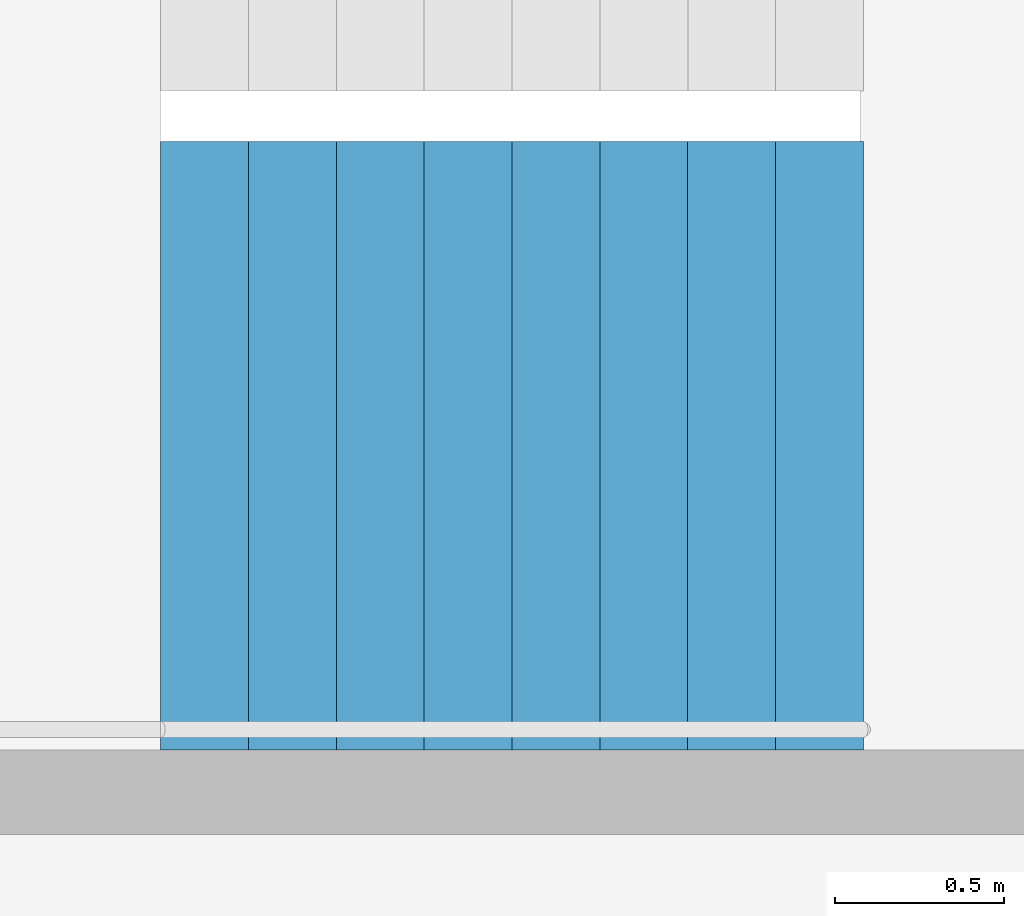
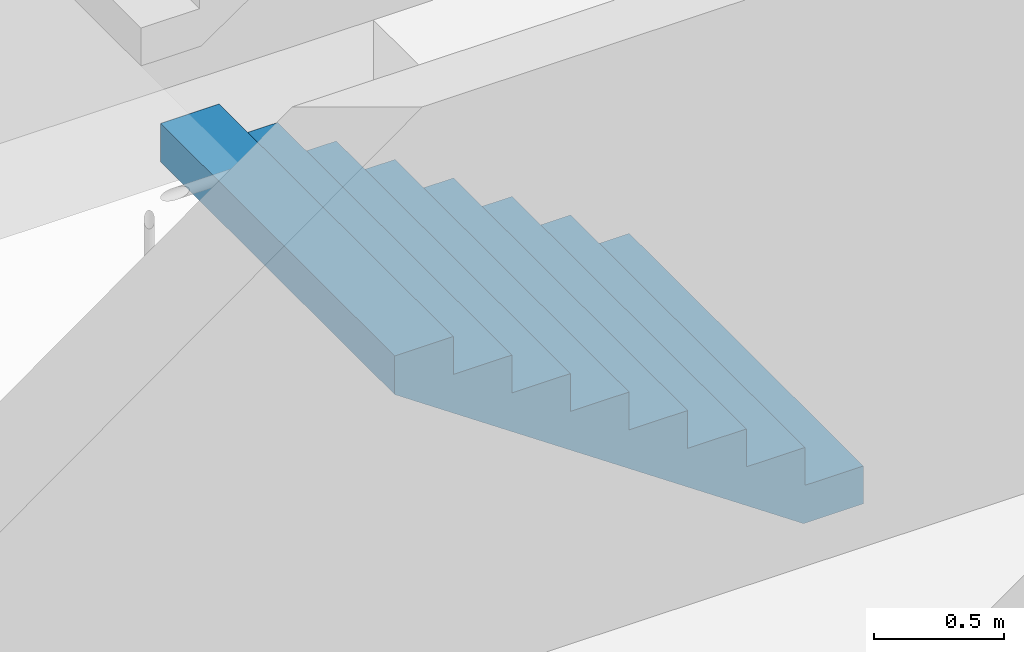
# One storey, part 24 of 26: 1 stair flight, 1 element without a shape of its own.
"""IFC4 building model written with IfcOpenShell, lengths in metres."""

from ifc_helpers import new_model, si_unit, direction, frame, origin, place, context, subcontext, project, spatial, triangles, material, type_object, element, aggregate, save


model = new_model("IFC4")

# Units and contexts
model_context = context("Model", 3, precision=1e-05, world=origin(), true_north=direction((0.0, 1.0)))
body_context = subcontext(model_context, "Body", "Model", "MODEL_VIEW")
ifc_project = project(units=[si_unit("LENGTHUNIT", "METRE"), si_unit("AREAUNIT", "SQUARE_METRE"), si_unit("VOLUMEUNIT", "CUBIC_METRE"), si_unit("PLANEANGLEUNIT", "RADIAN"), si_unit("MASSUNIT", "GRAM", prefix="KILO")], contexts=[model_context])

# Site, building, storey
site_placement = place(None, origin())
site = spatial("IfcSite", under=ifc_project, at=site_placement, CompositionType="ELEMENT")
building_placement = place(site_placement, origin())
building = spatial("IfcBuilding", under=site, at=building_placement, Name="Hakoniwa Tower and Hamabe Station Hall", CompositionType="ELEMENT")
storey_placement = place(building_placement, frame((0.0, 0.0, 134.199951171875)))
storey = spatial("IfcBuildingStorey", under=building, at=storey_placement, Name="L37", CompositionType="ELEMENT", Elevation=134.199951171875)

# Stair, stair flight
ifc_material_1 = material(Name="Concrete C40", Category="concrete")
stair_type = type_object("IfcStairType", Name="ESCAPE STAIR 1800", PredefinedType="HALF_TURN_STAIR", material=ifc_material_1)
stair_placement = place(storey_placement, origin())
stair = element("IfcStair", 1, at=stair_placement, inside=storey, type_object=stair_type, Name="Escape stair ST-3 L37", PredefinedType="HALF_TURN_STAIR")
ifc_material_2 = material(Name="Concrete C40", Category="concrete")
stair_flight_type = type_object("IfcStairFlightType", Name="STAIR FLIGHT 1800", PredefinedType="STRAIGHT", material=ifc_material_2)
stair_flight_placement = place(storey_placement, frame((24.39990234375, 4.64990234375, 0.0), z_axis=(0.0, 0.0, 1.0), x_axis=(-1.0, 0.0, 0.0)))
stair_flight = element("IfcStairFlight", 2, at=stair_flight_placement, type_object=stair_flight_type, Name="ST-3 flight 1", NumberOfRisers=9, NumberOfTreads=8, PredefinedType="STRAIGHT", RiserHeight=0.177777778, TreadLength=0.26, context=body_context, shape_type="Tessellation", body=[
    triangles([(0.0, 0.89990234375, 0.0), (0.260009765625, 0.89990234375, 0.0), (0.265625, 0.89990234375, 0.0), (0.52001953125, 0.89990234375, 0.174072265625), (0.780029296875, 0.89990234375, 0.351806640625), (1.0400390625, 0.89990234375, 0.529541015625), (1.300048828125, 0.89990234375, 0.707275390625), (1.56005859375, 0.89990234375, 0.885009765625), (1.820068359375, 0.89990234375, 1.062744140625), (2.080078125, 0.89990234375, 1.24072265625), (2.080078125, 0.89990234375, 1.422119140625), (1.820068359375, 0.89990234375, 1.422119140625), (1.820068359375, 0.89990234375, 1.244384765625), (1.56005859375, 0.89990234375, 1.244384765625), (1.56005859375, 0.89990234375, 1.066650390625), (1.300048828125, 0.89990234375, 1.066650390625), (1.300048828125, 0.89990234375, 0.888916015625), (1.0400390625, 0.89990234375, 0.888916015625), (1.0400390625, 0.89990234375, 0.711181640625), (0.780029296875, 0.89990234375, 0.711181640625), (0.780029296875, 0.89990234375, 0.533447265625), (0.52001953125, 0.89990234375, 0.533447265625), (0.52001953125, 0.89990234375, 0.35546875), (0.265625, 0.89990234375, 0.35546875), (0.260009765625, 0.89990234375, 0.35546875), (0.260009765625, 0.89990234375, 0.177734375), (0.0, 0.89990234375, 0.177734375), (0.0, 0.06005859375, 0.0), (0.260009765625, 0.06005859375, 0.0), (0.265625, 0.06005859375, 0.0), (0.52001953125, 0.06005859375, 0.174072265625), (0.780029296875, 0.06005859375, 0.351806640625), (1.0400390625, 0.06005859375, 0.529541015625), (1.300048828125, 0.06005859375, 0.707275390625), (1.56005859375, 0.06005859375, 0.885009765625), (1.820068359375, 0.06005859375, 1.062744140625), (2.080078125, 0.06005859375, 1.24072265625), (2.080078125, 0.06005859375, 1.422119140625), (1.820068359375, 0.06005859375, 1.422119140625), (1.820068359375, 0.06005859375, 1.244384765625), (1.56005859375, 0.06005859375, 1.244384765625), (1.56005859375, 0.06005859375, 1.066650390625), (1.300048828125, 0.06005859375, 1.066650390625), (1.300048828125, 0.06005859375, 0.888916015625), (1.0400390625, 0.06005859375, 0.888916015625), (1.0400390625, 0.06005859375, 0.711181640625), (0.780029296875, 0.06005859375, 0.711181640625), (0.780029296875, 0.06005859375, 0.533447265625), (0.52001953125, 0.06005859375, 0.533447265625), (0.52001953125, 0.06005859375, 0.35546875), (0.265625, 0.06005859375, 0.35546875), (0.260009765625, 0.06005859375, 0.35546875), (0.260009765625, 0.06005859375, 0.177734375), (0.0, 0.06005859375, 0.177734375), (0.0, 0.04296875, 0.0), (0.260009765625, 0.04296875, 0.0), (0.265625, 0.04296875, 0.0), (0.52001953125, 0.04296875, 0.174072265625), (0.780029296875, 0.04296875, 0.351806640625), (1.0400390625, 0.04296875, 0.529541015625), (1.300048828125, 0.04296875, 0.707275390625), (1.56005859375, 0.04296875, 0.885009765625), (1.820068359375, 0.04296875, 1.062744140625), (2.080078125, 0.04296875, 1.24072265625), (2.080078125, 0.04296875, 1.422119140625), (1.820068359375, 0.04296875, 1.422119140625), (1.820068359375, 0.04296875, 1.244384765625), (1.56005859375, 0.04296875, 1.244384765625), (1.56005859375, 0.04296875, 1.066650390625), (1.300048828125, 0.04296875, 1.066650390625), (1.300048828125, 0.04296875, 0.888916015625), (1.0400390625, 0.04296875, 0.888916015625), (1.0400390625, 0.04296875, 0.711181640625), (0.780029296875, 0.04296875, 0.711181640625), (0.780029296875, 0.04296875, 0.533447265625), (0.52001953125, 0.04296875, 0.533447265625), (0.52001953125, 0.04296875, 0.35546875), (0.265625, 0.04296875, 0.35546875), (0.260009765625, 0.04296875, 0.35546875), (0.260009765625, 0.04296875, 0.177734375), (0.0, 0.04296875, 0.177734375), (0.0, 0.025634765625, 0.0), (0.260009765625, 0.025634765625, 0.0), (0.265625, 0.025634765625, 0.0), (0.52001953125, 0.025634765625, 0.174072265625), (0.780029296875, 0.025634765625, 0.351806640625), (1.0400390625, 0.025634765625, 0.529541015625), (1.300048828125, 0.025634765625, 0.707275390625), (1.56005859375, 0.025634765625, 0.885009765625), (1.820068359375, 0.025634765625, 1.062744140625), (2.080078125, 0.025634765625, 1.24072265625), (2.080078125, 0.025634765625, 1.422119140625), (1.820068359375, 0.025634765625, 1.422119140625), (1.820068359375, 0.025634765625, 1.244384765625), (1.56005859375, 0.025634765625, 1.244384765625), (1.56005859375, 0.025634765625, 1.066650390625), (1.300048828125, 0.025634765625, 1.066650390625), (1.300048828125, 0.025634765625, 0.888916015625), (1.0400390625, 0.025634765625, 0.888916015625), (1.0400390625, 0.025634765625, 0.711181640625), (0.780029296875, 0.025634765625, 0.711181640625), (0.780029296875, 0.025634765625, 0.533447265625), (0.52001953125, 0.025634765625, 0.533447265625), (0.52001953125, 0.025634765625, 0.35546875), (0.265625, 0.025634765625, 0.35546875), (0.260009765625, 0.025634765625, 0.35546875), (0.260009765625, 0.025634765625, 0.177734375), (0.0, 0.025634765625, 0.177734375), (0.0, 0.008544921875, 0.0), (0.260009765625, 0.008544921875, 0.0), (0.265625, 0.008544921875, 0.0), (0.52001953125, 0.008544921875, 0.174072265625), (0.780029296875, 0.008544921875, 0.351806640625), (1.0400390625, 0.008544921875, 0.529541015625), (1.300048828125, 0.008544921875, 0.707275390625), (1.56005859375, 0.008544921875, 0.885009765625), (1.820068359375, 0.008544921875, 1.062744140625), (2.080078125, 0.008544921875, 1.24072265625), (2.080078125, 0.008544921875, 1.422119140625), (1.820068359375, 0.008544921875, 1.422119140625), (1.820068359375, 0.008544921875, 1.244384765625), (1.56005859375, 0.008544921875, 1.244384765625), (1.56005859375, 0.008544921875, 1.066650390625), (1.300048828125, 0.008544921875, 1.066650390625), (1.300048828125, 0.008544921875, 0.888916015625), (1.0400390625, 0.008544921875, 0.888916015625), (1.0400390625, 0.008544921875, 0.711181640625), (0.780029296875, 0.008544921875, 0.711181640625), (0.780029296875, 0.008544921875, 0.533447265625), (0.52001953125, 0.008544921875, 0.533447265625), (0.52001953125, 0.008544921875, 0.35546875), (0.265625, 0.008544921875, 0.35546875), (0.260009765625, 0.008544921875, 0.35546875), (0.260009765625, 0.008544921875, 0.177734375), (0.0, 0.008544921875, 0.177734375), (0.0, -0.008544921875, 0.0), (0.260009765625, -0.008544921875, 0.0), (0.265625, -0.008544921875, 0.0), (0.52001953125, -0.008544921875, 0.174072265625), (0.780029296875, -0.008544921875, 0.351806640625), (1.0400390625, -0.008544921875, 0.529541015625), (1.300048828125, -0.008544921875, 0.707275390625), (1.56005859375, -0.008544921875, 0.885009765625), (1.820068359375, -0.008544921875, 1.062744140625), (2.080078125, -0.008544921875, 1.24072265625), (2.080078125, -0.008544921875, 1.422119140625), (1.820068359375, -0.008544921875, 1.422119140625), (1.820068359375, -0.008544921875, 1.244384765625), (1.56005859375, -0.008544921875, 1.244384765625), (1.56005859375, -0.008544921875, 1.066650390625), (1.300048828125, -0.008544921875, 1.066650390625), (1.300048828125, -0.008544921875, 0.888916015625), (1.0400390625, -0.008544921875, 0.888916015625), (1.0400390625, -0.008544921875, 0.711181640625), (0.780029296875, -0.008544921875, 0.711181640625), (0.780029296875, -0.008544921875, 0.533447265625), (0.52001953125, -0.008544921875, 0.533447265625), (0.52001953125, -0.008544921875, 0.35546875), (0.265625, -0.008544921875, 0.35546875), (0.260009765625, -0.008544921875, 0.35546875), (0.260009765625, -0.008544921875, 0.177734375), (0.0, -0.008544921875, 0.177734375), (0.0, -0.025634765625, 0.0), (0.260009765625, -0.025634765625, 0.0), (0.265625, -0.025634765625, 0.0), (0.52001953125, -0.025634765625, 0.174072265625), (0.780029296875, -0.025634765625, 0.351806640625), (1.0400390625, -0.025634765625, 0.529541015625), (1.300048828125, -0.025634765625, 0.707275390625), (1.56005859375, -0.025634765625, 0.885009765625), (1.820068359375, -0.025634765625, 1.062744140625), (2.080078125, -0.025634765625, 1.24072265625), (2.080078125, -0.025634765625, 1.422119140625), (1.820068359375, -0.025634765625, 1.422119140625), (1.820068359375, -0.025634765625, 1.244384765625), (1.56005859375, -0.025634765625, 1.244384765625), (1.56005859375, -0.025634765625, 1.066650390625), (1.300048828125, -0.025634765625, 1.066650390625), (1.300048828125, -0.025634765625, 0.888916015625), (1.0400390625, -0.025634765625, 0.888916015625), (1.0400390625, -0.025634765625, 0.711181640625), (0.780029296875, -0.025634765625, 0.711181640625), (0.780029296875, -0.025634765625, 0.533447265625), (0.52001953125, -0.025634765625, 0.533447265625), (0.52001953125, -0.025634765625, 0.35546875), (0.265625, -0.025634765625, 0.35546875), (0.260009765625, -0.025634765625, 0.35546875), (0.260009765625, -0.025634765625, 0.177734375), (0.0, -0.025634765625, 0.177734375), (0.0, -0.04296875, 0.0), (0.260009765625, -0.04296875, 0.0), (0.265625, -0.04296875, 0.0), (0.52001953125, -0.04296875, 0.174072265625), (0.780029296875, -0.04296875, 0.351806640625), (1.0400390625, -0.04296875, 0.529541015625), (1.300048828125, -0.04296875, 0.707275390625), (1.56005859375, -0.04296875, 0.885009765625), (1.820068359375, -0.04296875, 1.062744140625), (2.080078125, -0.04296875, 1.24072265625), (2.080078125, -0.04296875, 1.422119140625), (1.820068359375, -0.04296875, 1.422119140625), (1.820068359375, -0.04296875, 1.244384765625), (1.56005859375, -0.04296875, 1.244384765625), (1.56005859375, -0.04296875, 1.066650390625), (1.300048828125, -0.04296875, 1.066650390625), (1.300048828125, -0.04296875, 0.888916015625), (1.0400390625, -0.04296875, 0.888916015625), (1.0400390625, -0.04296875, 0.711181640625), (0.780029296875, -0.04296875, 0.711181640625), (0.780029296875, -0.04296875, 0.533447265625), (0.52001953125, -0.04296875, 0.533447265625), (0.52001953125, -0.04296875, 0.35546875), (0.265625, -0.04296875, 0.35546875), (0.260009765625, -0.04296875, 0.35546875), (0.260009765625, -0.04296875, 0.177734375), (0.0, -0.04296875, 0.177734375), (0.0, -0.06005859375, 0.0), (0.260009765625, -0.06005859375, 0.0), (0.265625, -0.06005859375, 0.0), (0.52001953125, -0.06005859375, 0.174072265625), (0.780029296875, -0.06005859375, 0.351806640625), (1.0400390625, -0.06005859375, 0.529541015625), (1.300048828125, -0.06005859375, 0.707275390625), (1.56005859375, -0.06005859375, 0.885009765625), (1.820068359375, -0.06005859375, 1.062744140625), (2.080078125, -0.06005859375, 1.24072265625), (2.080078125, -0.06005859375, 1.422119140625), (1.820068359375, -0.06005859375, 1.422119140625), (1.820068359375, -0.06005859375, 1.244384765625), (1.56005859375, -0.06005859375, 1.244384765625), (1.56005859375, -0.06005859375, 1.066650390625), (1.300048828125, -0.06005859375, 1.066650390625), (1.300048828125, -0.06005859375, 0.888916015625), (1.0400390625, -0.06005859375, 0.888916015625), (1.0400390625, -0.06005859375, 0.711181640625), (0.780029296875, -0.06005859375, 0.711181640625), (0.780029296875, -0.06005859375, 0.533447265625), (0.52001953125, -0.06005859375, 0.533447265625), (0.52001953125, -0.06005859375, 0.35546875), (0.265625, -0.06005859375, 0.35546875), (0.260009765625, -0.06005859375, 0.35546875), (0.260009765625, -0.06005859375, 0.177734375), (0.0, -0.06005859375, 0.177734375), (0.0, -0.89990234375, 0.0), (0.260009765625, -0.89990234375, 0.0), (0.265625, -0.89990234375, 0.0), (0.52001953125, -0.89990234375, 0.174072265625), (0.780029296875, -0.89990234375, 0.351806640625), (1.0400390625, -0.89990234375, 0.529541015625), (1.300048828125, -0.89990234375, 0.707275390625), (1.56005859375, -0.89990234375, 0.885009765625), (1.820068359375, -0.89990234375, 1.062744140625), (2.080078125, -0.89990234375, 1.24072265625), (2.080078125, -0.89990234375, 1.422119140625), (1.820068359375, -0.89990234375, 1.422119140625), (1.820068359375, -0.89990234375, 1.244384765625), (1.56005859375, -0.89990234375, 1.244384765625), (1.56005859375, -0.89990234375, 1.066650390625), (1.300048828125, -0.89990234375, 1.066650390625), (1.300048828125, -0.89990234375, 0.888916015625), (1.0400390625, -0.89990234375, 0.888916015625), (1.0400390625, -0.89990234375, 0.711181640625), (0.780029296875, -0.89990234375, 0.711181640625), (0.780029296875, -0.89990234375, 0.533447265625), (0.52001953125, -0.89990234375, 0.533447265625), (0.52001953125, -0.89990234375, 0.35546875), (0.265625, -0.89990234375, 0.35546875), (0.260009765625, -0.89990234375, 0.35546875), (0.260009765625, -0.89990234375, 0.177734375), (0.0, -0.89990234375, 0.177734375)], [[2, 27, 26], [245, 269, 270], [2, 1, 27], [245, 270, 244], [3, 25, 24], [246, 267, 268], [3, 26, 25], [246, 268, 269], [3, 2, 26], [246, 269, 245], [4, 24, 23], [247, 266, 267], [4, 3, 24], [247, 267, 246], [5, 22, 21], [248, 264, 265], [5, 23, 22], [248, 265, 266], [5, 4, 23], [248, 266, 247], [6, 20, 19], [249, 262, 263], [6, 21, 20], [249, 263, 264], [6, 5, 21], [249, 264, 248], [7, 18, 17], [250, 260, 261], [7, 19, 18], [250, 261, 262], [7, 6, 19], [250, 262, 249], [8, 16, 15], [251, 258, 259], [8, 17, 16], [251, 259, 260], [8, 7, 17], [251, 260, 250], [9, 14, 13], [252, 256, 257], [9, 15, 14], [252, 257, 258], [9, 8, 15], [252, 258, 251], [10, 12, 11], [253, 254, 255], [10, 13, 12], [253, 255, 256], [10, 9, 13], [253, 256, 252], [1, 2, 29], [1, 29, 28], [28, 29, 56], [28, 56, 55], [55, 56, 83], [55, 83, 82], [82, 83, 110], [82, 110, 109], [109, 110, 137], [109, 137, 136], [136, 137, 164], [136, 164, 163], [163, 164, 191], [163, 191, 190], [190, 191, 218], [190, 218, 217], [217, 218, 245], [217, 245, 244], [2, 3, 30], [2, 30, 29], [29, 30, 57], [29, 57, 56], [56, 57, 84], [56, 84, 83], [83, 84, 111], [83, 111, 110], [110, 111, 138], [110, 138, 137], [137, 138, 165], [137, 165, 164], [164, 165, 192], [164, 192, 191], [191, 192, 219], [191, 219, 218], [218, 219, 246], [218, 246, 245], [3, 4, 31], [3, 31, 30], [30, 31, 58], [30, 58, 57], [57, 58, 85], [57, 85, 84], [84, 85, 112], [84, 112, 111], [111, 112, 139], [111, 139, 138], [138, 139, 166], [138, 166, 165], [165, 166, 193], [165, 193, 192], [192, 193, 220], [192, 220, 219], [219, 220, 247], [219, 247, 246], [4, 5, 32], [4, 32, 31], [31, 32, 59], [31, 59, 58], [58, 59, 86], [58, 86, 85], [85, 86, 113], [85, 113, 112], [112, 113, 140], [112, 140, 139], [139, 140, 167], [139, 167, 166], [166, 167, 194], [166, 194, 193], [193, 194, 221], [193, 221, 220], [220, 221, 248], [220, 248, 247], [5, 6, 33], [5, 33, 32], [32, 33, 60], [32, 60, 59], [59, 60, 87], [59, 87, 86], [86, 87, 114], [86, 114, 113], [113, 114, 141], [113, 141, 140], [140, 141, 168], [140, 168, 167], [167, 168, 195], [167, 195, 194], [194, 195, 222], [194, 222, 221], [221, 222, 249], [221, 249, 248], [6, 7, 34], [6, 34, 33], [33, 34, 61], [33, 61, 60], [60, 61, 88], [60, 88, 87], [87, 88, 115], [87, 115, 114], [114, 115, 142], [114, 142, 141], [141, 142, 169], [141, 169, 168], [168, 169, 196], [168, 196, 195], [195, 196, 223], [195, 223, 222], [222, 223, 250], [222, 250, 249], [7, 8, 35], [7, 35, 34], [34, 35, 62], [34, 62, 61], [61, 62, 89], [61, 89, 88], [88, 89, 116], [88, 116, 115], [115, 116, 143], [115, 143, 142], [142, 143, 170], [142, 170, 169], [169, 170, 197], [169, 197, 196], [196, 197, 224], [196, 224, 223], [223, 224, 251], [223, 251, 250], [8, 9, 36], [8, 36, 35], [35, 36, 63], [35, 63, 62], [62, 63, 90], [62, 90, 89], [89, 90, 117], [89, 117, 116], [116, 117, 144], [116, 144, 143], [143, 144, 171], [143, 171, 170], [170, 171, 198], [170, 198, 197], [197, 198, 225], [197, 225, 224], [224, 225, 252], [224, 252, 251], [9, 10, 37], [9, 37, 36], [36, 37, 64], [36, 64, 63], [63, 64, 91], [63, 91, 90], [90, 91, 118], [90, 118, 117], [117, 118, 145], [117, 145, 144], [144, 145, 172], [144, 172, 171], [171, 172, 199], [171, 199, 198], [198, 199, 226], [198, 226, 225], [225, 226, 253], [225, 253, 252], [10, 11, 38], [10, 38, 37], [37, 38, 65], [37, 65, 64], [64, 65, 92], [64, 92, 91], [91, 92, 119], [91, 119, 118], [118, 119, 146], [118, 146, 145], [145, 146, 173], [145, 173, 172], [172, 173, 200], [172, 200, 199], [199, 200, 227], [199, 227, 226], [226, 227, 254], [226, 254, 253], [11, 12, 39], [11, 39, 38], [38, 39, 66], [38, 66, 65], [65, 66, 93], [65, 93, 92], [92, 93, 120], [92, 120, 119], [119, 120, 147], [119, 147, 146], [146, 147, 174], [146, 174, 173], [173, 174, 201], [173, 201, 200], [200, 201, 228], [200, 228, 227], [227, 228, 255], [227, 255, 254], [12, 13, 40], [12, 40, 39], [39, 40, 67], [39, 67, 66], [66, 67, 94], [66, 94, 93], [93, 94, 121], [93, 121, 120], [120, 121, 148], [120, 148, 147], [147, 148, 175], [147, 175, 174], [174, 175, 202], [174, 202, 201], [201, 202, 229], [201, 229, 228], [228, 229, 256], [228, 256, 255], [13, 14, 41], [13, 41, 40], [40, 41, 68], [40, 68, 67], [67, 68, 95], [67, 95, 94], [94, 95, 122], [94, 122, 121], [121, 122, 149], [121, 149, 148], [148, 149, 176], [148, 176, 175], [175, 176, 203], [175, 203, 202], [202, 203, 230], [202, 230, 229], [229, 230, 257], [229, 257, 256], [14, 15, 42], [14, 42, 41], [41, 42, 69], [41, 69, 68], [68, 69, 96], [68, 96, 95], [95, 96, 123], [95, 123, 122], [122, 123, 150], [122, 150, 149], [149, 150, 177], [149, 177, 176], [176, 177, 204], [176, 204, 203], [203, 204, 231], [203, 231, 230], [230, 231, 258], [230, 258, 257], [15, 16, 43], [15, 43, 42], [42, 43, 70], [42, 70, 69], [69, 70, 97], [69, 97, 96], [96, 97, 124], [96, 124, 123], [123, 124, 151], [123, 151, 150], [150, 151, 178], [150, 178, 177], [177, 178, 205], [177, 205, 204], [204, 205, 232], [204, 232, 231], [231, 232, 259], [231, 259, 258], [16, 17, 44], [16, 44, 43], [43, 44, 71], [43, 71, 70], [70, 71, 98], [70, 98, 97], [97, 98, 125], [97, 125, 124], [124, 125, 152], [124, 152, 151], [151, 152, 179], [151, 179, 178], [178, 179, 206], [178, 206, 205], [205, 206, 233], [205, 233, 232], [232, 233, 260], [232, 260, 259], [17, 18, 45], [17, 45, 44], [44, 45, 72], [44, 72, 71], [71, 72, 99], [71, 99, 98], [98, 99, 126], [98, 126, 125], [125, 126, 153], [125, 153, 152], [152, 153, 180], [152, 180, 179], [179, 180, 207], [179, 207, 206], [206, 207, 234], [206, 234, 233], [233, 234, 261], [233, 261, 260], [18, 19, 46], [18, 46, 45], [45, 46, 73], [45, 73, 72], [72, 73, 100], [72, 100, 99], [99, 100, 127], [99, 127, 126], [126, 127, 154], [126, 154, 153], [153, 154, 181], [153, 181, 180], [180, 181, 208], [180, 208, 207], [207, 208, 235], [207, 235, 234], [234, 235, 262], [234, 262, 261], [19, 20, 47], [19, 47, 46], [46, 47, 74], [46, 74, 73], [73, 74, 101], [73, 101, 100], [100, 101, 128], [100, 128, 127], [127, 128, 155], [127, 155, 154], [154, 155, 182], [154, 182, 181], [181, 182, 209], [181, 209, 208], [208, 209, 236], [208, 236, 235], [235, 236, 263], [235, 263, 262], [20, 21, 48], [20, 48, 47], [47, 48, 75], [47, 75, 74], [74, 75, 102], [74, 102, 101], [101, 102, 129], [101, 129, 128], [128, 129, 156], [128, 156, 155], [155, 156, 183], [155, 183, 182], [182, 183, 210], [182, 210, 209], [209, 210, 237], [209, 237, 236], [236, 237, 264], [236, 264, 263], [21, 22, 49], [21, 49, 48], [48, 49, 76], [48, 76, 75], [75, 76, 103], [75, 103, 102], [102, 103, 130], [102, 130, 129], [129, 130, 157], [129, 157, 156], [156, 157, 184], [156, 184, 183], [183, 184, 211], [183, 211, 210], [210, 211, 238], [210, 238, 237], [237, 238, 265], [237, 265, 264], [22, 23, 50], [22, 50, 49], [49, 50, 77], [49, 77, 76], [76, 77, 104], [76, 104, 103], [103, 104, 131], [103, 131, 130], [130, 131, 158], [130, 158, 157], [157, 158, 185], [157, 185, 184], [184, 185, 212], [184, 212, 211], [211, 212, 239], [211, 239, 238], [238, 239, 266], [238, 266, 265], [23, 24, 51], [23, 51, 50], [50, 51, 78], [50, 78, 77], [77, 78, 105], [77, 105, 104], [104, 105, 132], [104, 132, 131], [131, 132, 159], [131, 159, 158], [158, 159, 186], [158, 186, 185], [185, 186, 213], [185, 213, 212], [212, 213, 240], [212, 240, 239], [239, 240, 267], [239, 267, 266], [24, 25, 52], [24, 52, 51], [51, 52, 79], [51, 79, 78], [78, 79, 106], [78, 106, 105], [105, 106, 133], [105, 133, 132], [132, 133, 160], [132, 160, 159], [159, 160, 187], [159, 187, 186], [186, 187, 214], [186, 214, 213], [213, 214, 241], [213, 241, 240], [240, 241, 268], [240, 268, 267], [25, 26, 53], [25, 53, 52], [52, 53, 80], [52, 80, 79], [79, 80, 107], [79, 107, 106], [106, 107, 134], [106, 134, 133], [133, 134, 161], [133, 161, 160], [160, 161, 188], [160, 188, 187], [187, 188, 215], [187, 215, 214], [214, 215, 242], [214, 242, 241], [241, 242, 269], [241, 269, 268], [26, 27, 54], [26, 54, 53], [53, 54, 81], [53, 81, 80], [80, 81, 108], [80, 108, 107], [107, 108, 135], [107, 135, 134], [134, 135, 162], [134, 162, 161], [161, 162, 189], [161, 189, 188], [188, 189, 216], [188, 216, 215], [215, 216, 243], [215, 243, 242], [242, 243, 270], [242, 270, 269], [27, 1, 28], [27, 28, 54], [54, 28, 55], [54, 55, 81], [81, 55, 82], [81, 82, 108], [108, 82, 109], [108, 109, 135], [135, 109, 136], [135, 136, 162], [162, 136, 163], [162, 163, 189], [189, 163, 190], [189, 190, 216], [216, 190, 217], [216, 217, 243], [243, 217, 244], [243, 244, 270]], closed=True),
])
aggregate(stair, [stair_flight])

save(model, "model.ifc")
